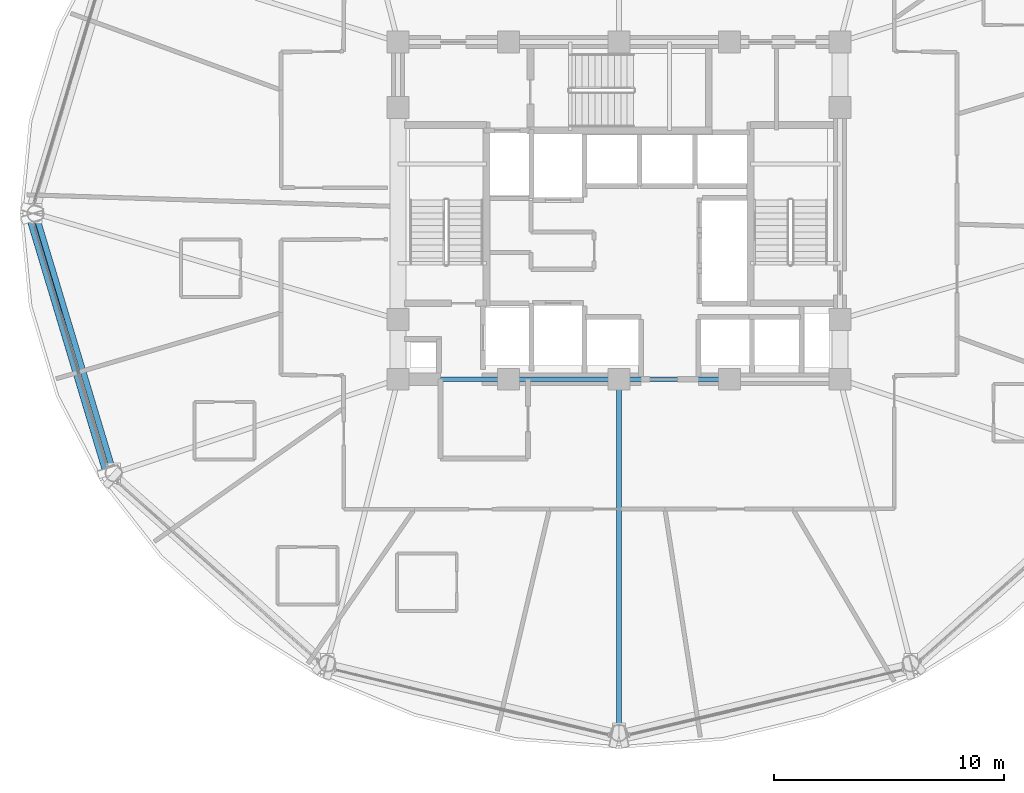
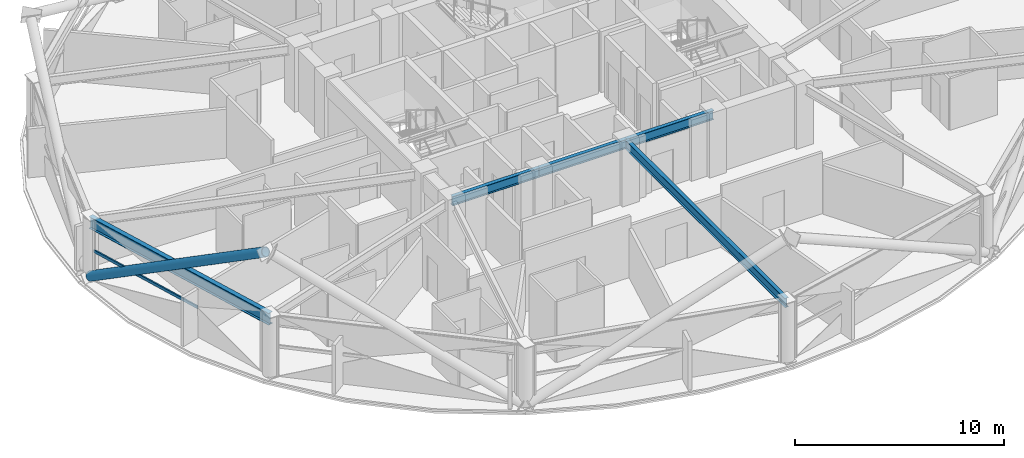
# One storey, part 5 of 30: 5 beams, 2 members, 1 element without a shape of its own.
"""IFC4 building model written with IfcOpenShell, lengths in metres."""

from ifc_helpers import new_model, si_unit, direction, frame, origin, origin_2d, place, context, subcontext, project, spatial, hollow_rectangle, hollow_circle, i_section, extrude, material, layer, layer_set, material_profile, profile_set, type_object, element, aggregate, save


model = new_model("IFC4")

# Units and contexts
model_context = context("Model", 3, precision=1e-05, world=origin(), true_north=direction((0.0, 1.0)))
body_context = subcontext(model_context, "Body", "Model", "MODEL_VIEW")
ifc_project = project(units=[si_unit("LENGTHUNIT", "METRE"), si_unit("AREAUNIT", "SQUARE_METRE"), si_unit("VOLUMEUNIT", "CUBIC_METRE"), si_unit("PLANEANGLEUNIT", "RADIAN"), si_unit("MASSUNIT", "GRAM", prefix="KILO")], contexts=[model_context])

# Site, building, storey
site_placement = place(None, origin())
site = spatial("IfcSite", under=ifc_project, at=site_placement, CompositionType="ELEMENT")
building_placement = place(site_placement, origin())
building = spatial("IfcBuilding", under=site, at=building_placement, Name="Vantalir Tower", CompositionType="ELEMENT")
storey_placement = place(building_placement, frame((0.0, 0.0, 119.699951171875)))
storey = spatial("IfcBuildingStorey", under=building, at=storey_placement, Name="L29", CompositionType="ELEMENT", Elevation=119.699951171875)

# Beams
ifc_material_1 = material(Name="Steel S355", Category="steel")
ifc_material_profile_1 = material_profile(ifc_material_1, i_section(OverallWidth=0.2109375, OverallDepth=0.5390625, WebThickness=0.01171875, FlangeThickness=0.018798828125, at=origin_2d()), Name="Steel S355")
ifc_profile_set_1 = profile_set([ifc_material_profile_1], Name="Steel S355")
beam_type_1 = type_object("IfcBeamType", Name="BM-RB-533x210", PredefinedType="BEAM", material=ifc_profile_set_1)
for number, where, z_axis, x_axis, name in (
    (1, (21.89990234375, 17.800048828125, 3.300048828125), (1.0, 0.0, 0.0), (0.0, 1.0, 0.0), "L29 Core Coupling Girder 01"),
    (2, (26.699951171875, 17.800048828125, 3.300048828125), (1.0, 0.0, 0.0), (0.0, 1.0, 0.0), "L29 Core Coupling Girder 02"),
    (3, (31.5, 17.800048828125, 3.300048828125), (1.0, 0.0, 0.0), (0.0, 1.0, 0.0), "L29 Core Coupling Girder 03"),
):
    element("IfcBeam", number, at=place(storey_placement, frame(where, z_axis=z_axis, x_axis=x_axis)), inside=storey, type_object=beam_type_1, Name=name, PredefinedType="BEAM", context=body_context, shape_type="SweptSolid", body=[
        extrude(i_section(OverallWidth=0.2109375, OverallDepth=0.5390625, WebThickness=0.01171875, FlangeThickness=0.018798828125, at=origin_2d()), origin(), (0.0, 0.0, 1.0), 4.800048828125),
    ])
beam_1_placement = place(storey_placement, frame((31.5, 2.43408203125, 3.300048828125), z_axis=(0.0, 1.0, 0.0), x_axis=(-1.0, 0.0, 0.0)))
element("IfcBeam", 4, at=beam_1_placement, inside=storey, type_object=beam_type_1, Name="L29 Radial Floor Beam 10", PredefinedType="BEAM", context=body_context, shape_type="SweptSolid", body=[
    extrude(i_section(OverallWidth=0.2109375, OverallDepth=0.5390625, WebThickness=0.01171875, FlangeThickness=0.018798828125, at=origin_2d()), origin(), (0.0, 0.0, 1.0), 15.365966796875),
])
ifc_material_2 = material(Name="Steel S460", Category="steel")
ifc_material_profile_2 = material_profile(ifc_material_2, i_section(OverallWidth=0.256103515625, OverallDepth=0.693115234375, WebThickness=0.014404296875, FlangeThickness=0.023681640625, at=origin_2d()), Name="Steel S460")
ifc_profile_set_2 = profile_set([ifc_material_profile_2], Name="Steel S460")
beam_type_2 = type_object("IfcBeamType", Name="BM-RG-686x254", PredefinedType="USERDEFINED", material=ifc_profile_set_2)
beam_2_placement = place(storey_placement, frame((6.159912109375, 25.0, 3.22314453125), z_axis=(0.288136680777, -0.957589292542, 0.0), x_axis=(0.957589292542, 0.288136680777, 0.0)))
element("IfcBeam", 5, at=beam_2_placement, inside=storey, type_object=beam_type_2, Name="L29 Circumferential Ring Girder 07", ObjectType="GIRDER", PredefinedType="USERDEFINED", context=body_context, shape_type="SweptSolid", body=[
    extrude(i_section(OverallWidth=0.256103515625, OverallDepth=0.693115234375, WebThickness=0.014404296875, FlangeThickness=0.023681640625, at=origin_2d()), origin(), (0.0, 0.0, 1.0), 11.78271484375),
])

# Curtain wall, member
ifc_material_3 = material(Name="Champagne-silver PVDF aluminium and double-silver Low-E glass", Category="aluminium")
ifc_layer = layer(ifc_material_3, 0.199951171875)
ifc_layer_set = layer_set([ifc_layer], Name="Champagne-silver PVDF aluminium and double-silver Low-E glass")
curtain_wall_type = type_object("IfcCurtainWallType", Name="CW-DIAMOND-Z2", PredefinedType="USERDEFINED", material=ifc_layer_set)
curtain_wall_placement = place(storey_placement, origin())
curtain_wall = element("IfcCurtainWall", 6, at=curtain_wall_placement, inside=storey, type_object=curtain_wall_type, Name="L29 Quilted Pyramid-Diamond Curtain Wall S07", ObjectType="UNITISED CURTAIN WALL", PredefinedType="USERDEFINED")
ifc_material_4 = material(Name="Champagne-silver PVDF aluminium 6063-T6", Category="aluminium")
ifc_material_profile_3 = material_profile(ifc_material_4, hollow_rectangle(XDim=0.074951171875, YDim=0.159912109375, WallThickness=0.00390625, at=origin_2d()), Name="Champagne-silver PVDF aluminium 6063-T6")
ifc_profile_set_3 = profile_set([ifc_material_profile_3], Name="Champagne-silver PVDF aluminium 6063-T6")
member_type_1 = type_object("IfcMemberType", Name="CWT-160x75", PredefinedType="USERDEFINED", material=ifc_profile_set_3)
member_1_placement = place(storey_placement, frame((6.096923828125, 24.5791015625, 1.78515625), z_axis=(0.284450260756, -0.958690799557, 0.0), x_axis=(0.958690799557, 0.284450260756, 0.0)))
member_1 = element("IfcMember", 7, at=member_1_placement, type_object=member_type_1, Name="CW-L29-S07 Pyramid Fold Ridge Transom", ObjectType="TRANSOM", PredefinedType="USERDEFINED", context=body_context, shape_type="SweptSolid", body=[
    extrude(hollow_rectangle(XDim=0.074951171875, YDim=0.159912109375, WallThickness=0.00390625, at=origin_2d()), origin(), (0.0, 0.0, 1.0), 6.82080078125),
])
aggregate(curtain_wall, [member_1])

# Member
ifc_material_profile_4 = material_profile(ifc_material_2, hollow_circle(Radius=0.260009765625, WallThickness=0.0380859375, at=origin_2d()), Name="Steel S460")
ifc_profile_set_4 = profile_set([ifc_material_profile_4], Name="Steel S460")
member_type_2 = type_object("IfcMemberType", Name="MEM-DB-520x38", PredefinedType="BRACE", material=ifc_profile_set_4)
member_2_placement = place(storey_placement, frame((6.02392578125, 24.820068359375, 0.194091796875), z_axis=(0.24657648049, -0.820285755899, 0.516072977338), x_axis=(0.95766844946, 0.287873480731, 0.0)))
element("IfcMember", 8, at=member_2_placement, inside=storey, type_object=member_type_2, Name="L29 Perimeter S460 Diagrid Brace R19L", PredefinedType="BRACE", context=body_context, shape_type="SweptSolid", body=[
    extrude(hollow_circle(Radius=0.260009765625, WallThickness=0.0380859375, at=origin_2d()), origin(), (0.0, 0.0, 1.0), 13.431884765625),
])

save(model, "model.ifc")
